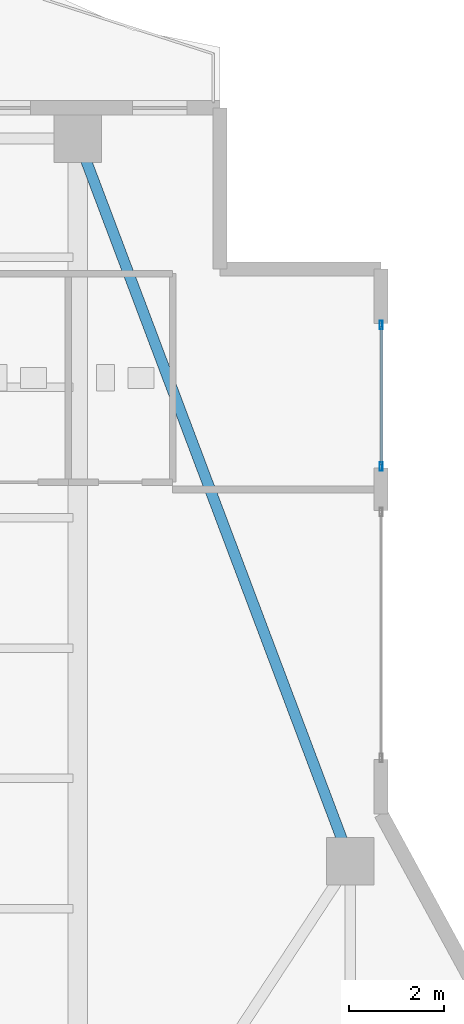
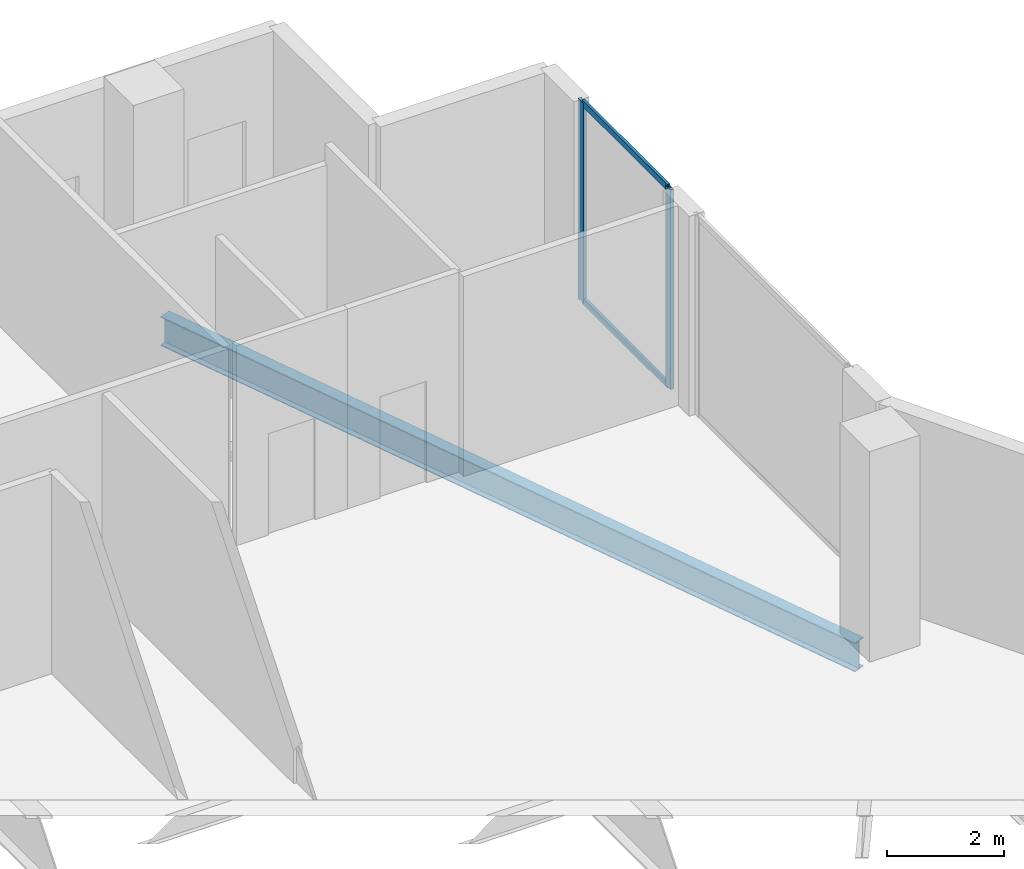
# One storey, part 15 of 23: 4 members, 1 beam, 1 element without a shape of its own.
"""IFC4 building model written with IfcOpenShell, lengths in metres."""

from ifc_helpers import new_model, si_unit, direction, frame, origin, origin_2d, place, context, subcontext, project, spatial, hollow_rectangle, i_section, extrude, material, layer, layer_set, material_profile, profile_set, type_object, element, aggregate, save


model = new_model("IFC4")

# Units and contexts
model_context = context("Model", 3, precision=1e-05, world=origin(), true_north=direction((0.0, 1.0)))
body_context = subcontext(model_context, "Body", "Model", "MODEL_VIEW")
ifc_project = project(units=[si_unit("LENGTHUNIT", "METRE"), si_unit("AREAUNIT", "SQUARE_METRE"), si_unit("VOLUMEUNIT", "CUBIC_METRE"), si_unit("PLANEANGLEUNIT", "RADIAN"), si_unit("MASSUNIT", "GRAM", prefix="KILO")], contexts=[model_context])

# Site, building, storey
site_placement = place(None, origin())
site = spatial("IfcSite", under=ifc_project, at=site_placement, CompositionType="ELEMENT")
building_placement = place(site_placement, origin())
building = spatial("IfcBuilding", under=site, at=building_placement, Name="Zuhayl Quay Hotel", CompositionType="ELEMENT")
storey_placement = place(building_placement, frame((0.0, 0.0, 288.449951171875)))
storey = spatial("IfcBuildingStorey", under=building, at=storey_placement, Name="L73", CompositionType="ELEMENT", Elevation=288.449951171875)

# Beam
ifc_material_1 = material(Name="Steel ASTM A992 Grade 50", Category="steel")
ifc_material_profile_1 = material_profile(ifc_material_1, i_section(OverallWidth=0.22802734375, OverallDepth=0.60693359375, WebThickness=0.01123046875, FlangeThickness=0.017333984375, at=origin_2d()), Name="W24X76")
ifc_profile_set_1 = profile_set([ifc_material_profile_1], Name="Steel ASTM A992 Grade 50")
beam_type = type_object("IfcBeamType", Name="BM_B3_W24X76", PredefinedType="BEAM", material=ifc_profile_set_1)
beam_placement = place(storey_placement, frame((19.3876953125, 23.530517578125, -0.5234375), z_axis=(-0.352796603103, 0.935700035716, 0.0), x_axis=(-0.935700035716, -0.352796603103, 0.0)))
element("IfcBeam", 1, at=beam_placement, inside=storey, type_object=beam_type, Name="L73 Floor Beam RG_L73_06", PredefinedType="BEAM", context=body_context, shape_type="SweptSolid", body=[
    extrude(i_section(OverallWidth=0.22802734375, OverallDepth=0.60693359375, WebThickness=0.01123046875, FlangeThickness=0.017333984375, at=origin_2d()), origin(), (0.0, 0.0, 1.0), 15.3779296875),
])

# Curtain wall, members
ifc_material_2 = material(Name="Anodised Aluminium 6063-T6", Category="aluminium")
ifc_layer = layer(ifc_material_2, 0.169921875, Name="Anodised Aluminium 6063-T6", Category="aluminium")
ifc_layer_set = layer_set([ifc_layer], Name="Anodised Aluminium 6063-T6")
curtain_wall_type = type_object("IfcCurtainWallType", Name="CW_SYS_Z4", PredefinedType="USERDEFINED", material=ifc_layer_set)
curtain_wall_placement = place(storey_placement, origin())
curtain_wall = element("IfcCurtainWall", 2, at=curtain_wall_placement, inside=storey, type_object=curtain_wall_type, Name="L73 Curtain Wall ENV_L73_E11_CW1", ObjectType="UNITISED CURTAIN WALL", PredefinedType="USERDEFINED")
ifc_material_3 = material(Name="Black-anodised aluminium 6063-T6", Category="aluminium")
ifc_material_profile_2 = material_profile(ifc_material_3, hollow_rectangle(XDim=0.06494140625, YDim=0.179931640625, WallThickness=0.00341796875, at=origin_2d()), Name="ALU180X65")
ifc_profile_set_2 = profile_set([ifc_material_profile_2], Name="Black-anodised aluminium 6063-T6")
member_type_1 = type_object("IfcMemberType", Name="MB_CW_MUL_180", PredefinedType="MULLION", material=ifc_profile_set_2)
member_1_placement = place(storey_placement, frame((20.199951171875, 34.41748046875, 0.0), z_axis=(0.0, 0.0, 1.0), x_axis=(1.0, 0.0, 0.0)))
member_1 = element("IfcMember", 3, at=member_1_placement, type_object=member_type_1, Name="CW-Z4 mullion 1", PredefinedType="MULLION", context=body_context, shape_type="SweptSolid", body=[
    extrude(hollow_rectangle(XDim=0.06494140625, YDim=0.179931640625, WallThickness=0.00341796875, at=origin_2d()), origin(), (0.0, 0.0, 1.0), 4.179931640625),
])
member_2_placement = place(storey_placement, frame((20.199951171875, 31.4326171875, 0.0), z_axis=(0.0, 0.0, 1.0), x_axis=(1.0, 0.0, 0.0)))
member_2 = element("IfcMember", 4, at=member_2_placement, type_object=member_type_1, Name="CW-Z4 mullion 2", PredefinedType="MULLION", context=body_context, shape_type="SweptSolid", body=[
    extrude(hollow_rectangle(XDim=0.06494140625, YDim=0.179931640625, WallThickness=0.00341796875, at=origin_2d()), origin(), (0.0, 0.0, 1.0), 4.179931640625),
])
ifc_material_profile_3 = material_profile(ifc_material_3, hollow_rectangle(XDim=0.054931640625, YDim=0.1298828125, WallThickness=0.0029296875, at=origin_2d()), Name="ALU130X55")
ifc_profile_set_3 = profile_set([ifc_material_profile_3], Name="Black-anodised aluminium 6063-T6")
member_type_2 = type_object("IfcMemberType", Name="MB_CW_TRN_130", PredefinedType="USERDEFINED", material=ifc_profile_set_3)
member_3_placement = place(storey_placement, frame((20.199951171875, 34.385009765625, 0.027587890625), z_axis=(0.0, -1.0, 0.0), x_axis=(1.0, 0.0, 0.0)))
member_3 = element("IfcMember", 5, at=member_3_placement, type_object=member_type_2, Name="CW-Z4 transom 1.1", ObjectType="TRANSOM", PredefinedType="USERDEFINED", context=body_context, shape_type="SweptSolid", body=[
    extrude(hollow_rectangle(XDim=0.054931640625, YDim=0.1298828125, WallThickness=0.0029296875, at=origin_2d()), origin(), (0.0, 0.0, 1.0), 2.919921875),
])
member_4_placement = place(storey_placement, frame((20.199951171875, 34.385009765625, 4.152587890625), z_axis=(0.0, -1.0, 0.0), x_axis=(1.0, 0.0, 0.0)))
member_4 = element("IfcMember", 6, at=member_4_placement, type_object=member_type_2, Name="CW-Z4 transom 1.2", ObjectType="TRANSOM", PredefinedType="USERDEFINED", context=body_context, shape_type="SweptSolid", body=[
    extrude(hollow_rectangle(XDim=0.054931640625, YDim=0.1298828125, WallThickness=0.0029296875, at=origin_2d()), origin(), (0.0, 0.0, 1.0), 2.919921875),
])
aggregate(curtain_wall, [member_1, member_2, member_3, member_4])

save(model, "model.ifc")
